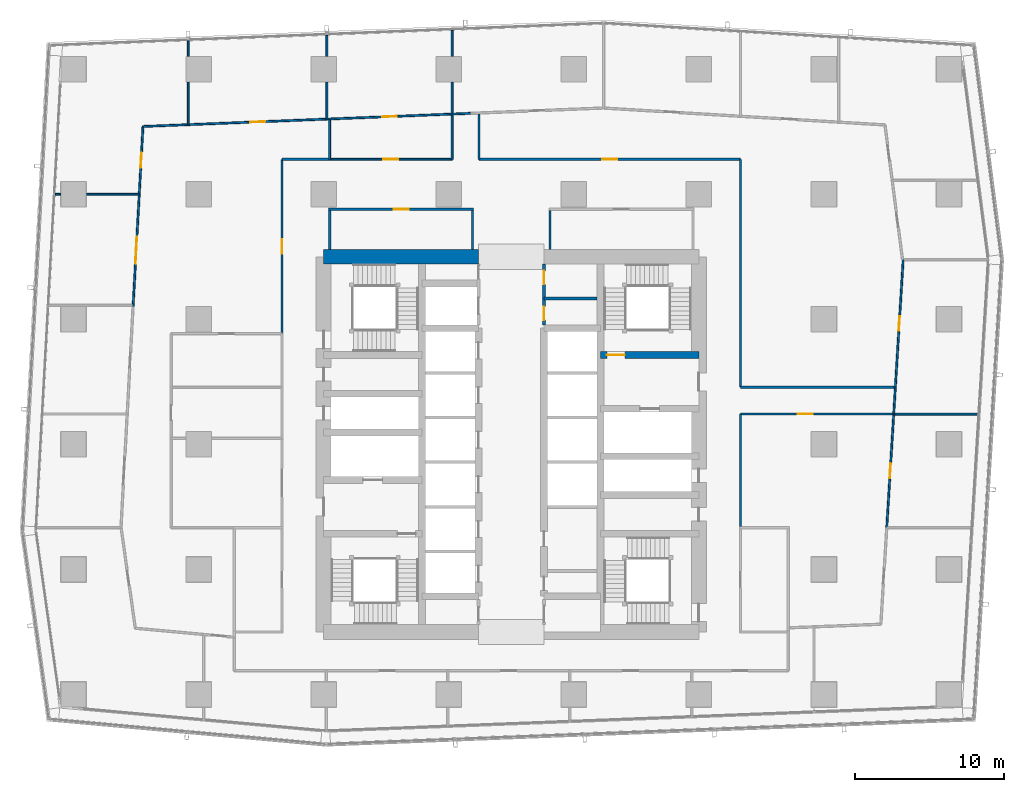
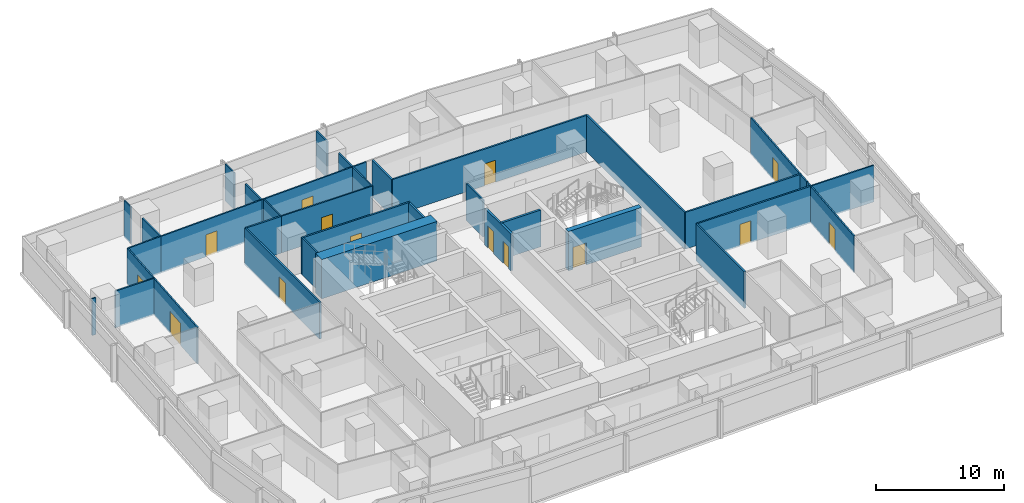
# One storey, part 31 of 40: 38 walls, 14 doors, 14 openings.
"""IFC4 building model written with IfcOpenShell, lengths in metres."""

from ifc_helpers import new_model, si_unit, direction, frame, frame_2d, origin, place, context, subcontext, project, spatial, rectangle, extrude, material, layer, layer_set, type_object, element, fill, save


model = new_model("IFC4")

# Units and contexts
model_context = context("Model", 3, precision=1e-05, world=origin(), true_north=direction((0.0, 1.0)))
body_context = subcontext(model_context, "Body", "Model", "MODEL_VIEW")
ifc_project = project(units=[si_unit("LENGTHUNIT", "METRE"), si_unit("AREAUNIT", "SQUARE_METRE"), si_unit("VOLUMEUNIT", "CUBIC_METRE"), si_unit("PLANEANGLEUNIT", "RADIAN"), si_unit("MASSUNIT", "GRAM", prefix="KILO")], contexts=[model_context])

# Site, building, storey
site_placement = place(None, origin())
site = spatial("IfcSite", under=ifc_project, at=site_placement, CompositionType="ELEMENT")
building_placement = place(site_placement, origin())
building = spatial("IfcBuilding", under=site, at=building_placement, Name="Rekha Terrace Tower", CompositionType="ELEMENT")
storey_placement = place(building_placement, frame((0.0, 0.0, 140.300048828125)))
storey = spatial("IfcBuildingStorey", under=building, at=storey_placement, Name="L35", CompositionType="ELEMENT", Elevation=140.300048828125)

# Wall, opening, door
ifc_material_1 = material(Name="Concrete M70", Category="concrete")
ifc_layer_1 = layer(ifc_material_1, 0.449951171875)
ifc_layer_set_1 = layer_set([ifc_layer_1], Name="Concrete M70")
wall_type_1 = type_object("IfcWallType", Name="CI2 450 core internal shear wall", PredefinedType="SHEAR", material=ifc_layer_set_1)
wall_1_placement = place(storey_placement, frame((43.800048828125, 39.60009765625, 0.0), z_axis=(0.0, 0.0, 1.0), x_axis=(1.0, 0.0, 0.0)))
wall_1 = element("IfcWall", 1, at=wall_1_placement, inside=storey, type_object=wall_type_1, Name="Core wall Y396E L35", PredefinedType="SHEAR", context=body_context, shape_type="SweptSolid", body=[
    extrude(rectangle(XDim=6.599853515625, YDim=0.449951171875, at=frame_2d((3.2998046875, 0.0))), origin(), (0.0, 0.0, 1.0), 3.75),
])
opening_1_placement = place(wall_1_placement, frame((0.425048828125, 0.0, 0.0)))
opening_1 = element("IfcOpeningElement", 2, at=opening_1_placement, cuts=wall_1, Name="Opening D1", PredefinedType="OPENING", context=body_context, shape_type="SweptSolid", body=[
    extrude(rectangle(XDim=1.199951171875, YDim=2.10009765625, at=frame_2d((0.60009765625, 1.050048828125))), frame((0.0, 0.23486328125, 0.0), z_axis=(0.0, -1.0, 0.0), x_axis=(1.0, 0.0, 0.0)), (0.0, 0.0, 1.0), 0.469970703125),
])
ifc_material_2 = material(Name="Steel fire door", Category="steel")
door_type_1 = type_object("IfcDoorType", Name="D1 1200x2100 stair fire door", OperationType="SINGLE_SWING_RIGHT", PredefinedType="DOOR", material=ifc_material_2)
door_1_placement = place(opening_1_placement, origin())
door_1 = element("IfcDoor", 3, at=door_1_placement, inside=storey, type_object=door_type_1, Name="Stair ST2 door L35", OperationType="SINGLE_SWING_RIGHT", OverallHeight=2.10009765625, OverallWidth=1.199951171875, PredefinedType="DOOR", context=body_context, shape_type="SweptSolid", body=[
    extrude(rectangle(XDim=1.199951171875, YDim=2.10009765625, at=frame_2d((0.60009765625, 1.050048828125))), frame((0.0, 0.02490234375, 0.0), z_axis=(0.0, -1.0, 0.0), x_axis=(1.0, 0.0, 0.0)), (0.0, 0.0, 1.0), 0.050048828125),
])
fill(opening_1, door_1)

# Walls
ifc_layer_2 = layer(ifc_material_1, 1.0)
ifc_layer_set_2 = layer_set([ifc_layer_2], Name="Concrete M70")
wall_type_2 = type_object("IfcWallType", Name="SW2 1000 core outer shear wall", PredefinedType="SHEAR", material=ifc_layer_set_2)
wall_2_placement = place(storey_placement, frame((25.199951171875, 46.199951171875, 0.0), z_axis=(0.0, 0.0, 1.0), x_axis=(1.0, 0.0, 0.0)))
element("IfcWall", 4, at=wall_2_placement, inside=storey, type_object=wall_type_2, Name="Core wall N1 L35", PredefinedType="SHEAR", context=body_context, shape_type="SweptSolid", body=[
    extrude(rectangle(XDim=10.400146484375, YDim=1.0, at=frame_2d((5.2001953125, 0.0))), origin(), (0.0, 0.0, 1.0), 3.75),
])
ifc_material_3 = material(Name="Concrete block masonry, 1 hour", Category="masonry")
ifc_layer_3 = layer(ifc_material_3, 0.14990234375)
ifc_layer_set_3 = layer_set([ifc_layer_3], Name="Concrete block masonry, 1 hour")
wall_type_3 = type_object("IfcWallType", Name="WP2 150 tenancy partition", PredefinedType="PARTITIONING", material=ifc_layer_set_3)
wall_3_placement = place(storey_placement, frame((40.39990234375, 46.699951171875, 0.0), z_axis=(0.0, 0.0, 1.0), x_axis=(0.0, 1.0, 0.0)))
element("IfcWall", 5, at=wall_3_placement, inside=storey, type_object=wall_type_3, Name="Women's WC wall L35", PredefinedType="PARTITIONING", context=body_context, shape_type="SweptSolid", body=[
    extrude(rectangle(XDim=2.625, YDim=0.14990234375, at=frame_2d((1.3125, 0.0))), origin(), (0.0, 0.0, 1.0), 3.5),
])

# Wall, opening, door
wall_4_placement = place(storey_placement, frame((25.52490234375, 49.39990234375, 0.0), z_axis=(0.0, 0.0, 1.0), x_axis=(1.0, 0.0, 0.0)))
wall_4 = element("IfcWall", 6, at=wall_4_placement, inside=storey, type_object=wall_type_3, Name="Women's WC wall L35", PredefinedType="PARTITIONING", context=body_context, shape_type="SweptSolid", body=[
    extrude(rectangle(XDim=9.75, YDim=0.14990234375, at=frame_2d((4.875, 0.0))), origin(), (0.0, 0.0, 1.0), 3.5),
])
opening_2_placement = place(wall_4_placement, frame((4.375, 0.0, 0.0)))
opening_2 = element("IfcOpeningElement", 7, at=opening_2_placement, cuts=wall_4, Name="Opening D3", PredefinedType="OPENING", context=body_context, shape_type="SweptSolid", body=[
    extrude(rectangle(XDim=1.0, YDim=2.10009765625, at=frame_2d((0.5, 1.050048828125))), frame((0.0, 0.0849609375, 0.0), z_axis=(0.0, -1.0, 0.0), x_axis=(1.0, 0.0, 0.0)), (0.0, 0.0, 1.0), 0.169921875),
])
ifc_material_4 = material(Name="Laminated timber fire door", Category="wood")
door_type_2 = type_object("IfcDoorType", Name="D3 1000x2100 WC door", OperationType="SINGLE_SWING_LEFT", PredefinedType="DOOR", material=ifc_material_4)
door_2_placement = place(opening_2_placement, origin())
door_2 = element("IfcDoor", 8, at=door_2_placement, inside=storey, type_object=door_type_2, Name="Door women's wc L35", OperationType="SINGLE_SWING_LEFT", OverallHeight=2.10009765625, OverallWidth=1.0, PredefinedType="DOOR", context=body_context, shape_type="SweptSolid", body=[
    extrude(rectangle(XDim=1.0, YDim=2.10009765625, at=frame_2d((0.5, 1.050048828125))), frame((0.0, 0.02490234375, 0.0), z_axis=(0.0, -1.0, 0.0), x_axis=(1.0, 0.0, 0.0)), (0.0, 0.0, 1.0), 0.050048828125),
])
fill(opening_2, door_2)

# Walls
for number, where, z_axis, x_axis, name in (
    (9, (25.60009765625, 46.699951171875, 0.0), (0.0, 0.0, 1.0), (0.0, 1.0, 0.0), "Women's WC wall L35"),
    (10, (35.199951171875, 46.699951171875, 0.0), (0.0, 0.0, 1.0), (0.0, 1.0, 0.0), "Women's WC wall L35"),
):
    element("IfcWall", number, at=place(storey_placement, frame(where, z_axis=z_axis, x_axis=x_axis)), inside=storey, type_object=wall_type_3, Name=name, PredefinedType="PARTITIONING", context=body_context, shape_type="SweptSolid", body=[
        extrude(rectangle(XDim=2.625, YDim=0.14990234375, at=frame_2d((1.3125, 0.0))), origin(), (0.0, 0.0, 1.0), 3.5),
    ])
wall_5_placement = place(storey_placement, frame((63.60205078125, 37.43701171875, 0.0), z_axis=(0.0, 0.0, 1.0), x_axis=(-1.0, 0.0, 0.0)))
element("IfcWall", 11, at=wall_5_placement, inside=storey, type_object=wall_type_3, Name="Partition L35-O1", PredefinedType="PARTITIONING", context=body_context, shape_type="SweptSolid", body=[
    extrude(rectangle(XDim=10.402099609375, YDim=0.14990234375, at=frame_2d((5.201171875, 0.0))), origin(), (0.0, 0.0, 1.0), 3.5),
])
wall_6_placement = place(storey_placement, frame((53.199951171875, 37.43701171875, 0.0), z_axis=(0.0, 0.0, 1.0), x_axis=(0.0, 1.0, 0.0)))
element("IfcWall", 12, at=wall_6_placement, inside=storey, type_object=wall_type_3, Name="Partition L35-O1", PredefinedType="PARTITIONING", context=body_context, shape_type="SweptSolid", body=[
    extrude(rectangle(XDim=15.31298828125, YDim=0.14990234375, at=frame_2d((7.656494140625, 0.0))), origin(), (0.0, 0.0, 1.0), 3.5),
])

# Wall, opening, door
wall_7_placement = place(storey_placement, frame((53.199951171875, 52.75, 0.0), z_axis=(0.0, 0.0, 1.0), x_axis=(-1.0, 0.0, 0.0)))
wall_7 = element("IfcWall", 13, at=wall_7_placement, inside=storey, type_object=wall_type_3, Name="Partition L35-O1", PredefinedType="PARTITIONING", context=body_context, shape_type="SweptSolid", body=[
    extrude(rectangle(XDim=17.573974609375, YDim=0.14990234375, at=frame_2d((8.787109375, 0.0))), origin(), (0.0, 0.0, 1.0), 3.5),
])
opening_3_placement = place(wall_7_placement, frame((8.287109375, 0.0, 0.0)))
opening_3 = element("IfcOpeningElement", 14, at=opening_3_placement, cuts=wall_7, Name="Opening D9", PredefinedType="OPENING", context=body_context, shape_type="SweptSolid", body=[
    extrude(rectangle(XDim=1.0, YDim=2.10009765625, at=frame_2d((0.5, 1.050048828125))), frame((0.0, 0.0849609375, 0.0), z_axis=(0.0, -1.0, 0.0), x_axis=(1.0, 0.0, 0.0)), (0.0, 0.0, 1.0), 0.169921875),
])
ifc_material_5 = material(Name="Timber fire door", Category="wood")
door_type_3 = type_object("IfcDoorType", Name="D9 1000x2100 office door", OperationType="SINGLE_SWING_LEFT", PredefinedType="DOOR", material=ifc_material_5)
door_3_placement = place(opening_3_placement, origin())
door_3 = element("IfcDoor", 15, at=door_3_placement, inside=storey, type_object=door_type_3, Name="Door open-plan office L35", OperationType="SINGLE_SWING_LEFT", OverallHeight=2.10009765625, OverallWidth=1.0, PredefinedType="DOOR", context=body_context, shape_type="SweptSolid", body=[
    extrude(rectangle(XDim=1.0, YDim=2.10009765625, at=frame_2d((0.5, 1.050048828125))), frame((0.0, 0.02490234375, 0.0), z_axis=(0.0, -1.0, 0.0), x_axis=(1.0, 0.0, 0.0)), (0.0, 0.0, 1.0), 0.050048828125),
])
fill(opening_3, door_3)

# Walls
wall_8_placement = place(storey_placement, frame((35.6259765625, 52.75, 0.0), z_axis=(0.0, 0.0, 1.0), x_axis=(0.0, 1.0, 0.0)))
element("IfcWall", 16, at=wall_8_placement, inside=storey, type_object=wall_type_3, Name="Partition L35-O1", PredefinedType="PARTITIONING", context=body_context, shape_type="SweptSolid", body=[
    extrude(rectangle(XDim=3.0458984375, YDim=0.14990234375, at=frame_2d((1.52294921875, 0.0))), origin(), (0.0, 0.0, 1.0), 3.5),
])
wall_9_placement = place(storey_placement, frame((53.199951171875, 28.074951171875, 0.0), z_axis=(0.0, 0.0, 1.0), x_axis=(0.0, 1.0, 0.0)))
element("IfcWall", 17, at=wall_9_placement, inside=storey, type_object=wall_type_3, Name="Partition L35-O1b", PredefinedType="PARTITIONING", context=body_context, shape_type="SweptSolid", body=[
    extrude(rectangle(XDim=7.56201171875, YDim=0.14990234375, at=frame_2d((3.781005859375, 0.0))), origin(), (0.0, 0.0, 1.0), 3.5),
])

# Wall, opening, door
wall_10_placement = place(storey_placement, frame((53.199951171875, 35.636962890625, 0.0), z_axis=(0.0, 0.0, 1.0), x_axis=(1.0, 0.0, 0.0)))
wall_10 = element("IfcWall", 18, at=wall_10_placement, inside=storey, type_object=wall_type_3, Name="Partition L35-O1b", PredefinedType="PARTITIONING", context=body_context, shape_type="SweptSolid", body=[
    extrude(rectangle(XDim=10.2431640625, YDim=0.14990234375, at=frame_2d((5.12158203125, 0.0))), origin(), (0.0, 0.0, 1.0), 3.5),
])
opening_4_placement = place(wall_10_placement, frame((3.845947265625, 0.0, 0.0)))
opening_4 = element("IfcOpeningElement", 19, at=opening_4_placement, cuts=wall_10, Name="Opening D9", PredefinedType="OPENING", context=body_context, shape_type="SweptSolid", body=[
    extrude(rectangle(XDim=1.0, YDim=2.10009765625, at=frame_2d((0.5, 1.050048828125))), frame((0.0, 0.0849609375, 0.0), z_axis=(0.0, -1.0, 0.0), x_axis=(1.0, 0.0, 0.0)), (0.0, 0.0, 1.0), 0.169921875),
])
door_4_placement = place(opening_4_placement, origin())
door_4 = element("IfcDoor", 20, at=door_4_placement, inside=storey, type_object=door_type_3, Name="Door open-plan office L35", OperationType="SINGLE_SWING_LEFT", OverallHeight=2.10009765625, OverallWidth=1.0, PredefinedType="DOOR", context=body_context, shape_type="SweptSolid", body=[
    extrude(rectangle(XDim=1.0, YDim=2.10009765625, at=frame_2d((0.5, 1.050048828125))), frame((0.0, 0.02490234375, 0.0), z_axis=(0.0, -1.0, 0.0), x_axis=(1.0, 0.0, 0.0)), (0.0, 0.0, 1.0), 0.050048828125),
])
fill(opening_4, door_4)

# Wall
wall_11_placement = place(storey_placement, frame((25.60009765625, 52.75, 0.0), z_axis=(0.0, 0.0, 1.0), x_axis=(-1.0, 0.0, 0.0)))
element("IfcWall", 21, at=wall_11_placement, inside=storey, type_object=wall_type_3, Name="Partition L35-O2", PredefinedType="PARTITIONING", context=body_context, shape_type="SweptSolid", body=[
    extrude(rectangle(XDim=3.2001953125, YDim=0.14990234375, at=frame_2d((1.60009765625, 0.0))), origin(), (0.0, 0.0, 1.0), 3.5),
])

# Wall, opening, door
wall_12_placement = place(storey_placement, frame((22.39990234375, 52.75, 0.0), z_axis=(0.0, 0.0, 1.0), x_axis=(0.0, -1.0, 0.0)))
wall_12 = element("IfcWall", 22, at=wall_12_placement, inside=storey, type_object=wall_type_3, Name="Partition L35-O2", PredefinedType="PARTITIONING", context=body_context, shape_type="SweptSolid", body=[
    extrude(rectangle(XDim=11.712890625, YDim=0.14990234375, at=frame_2d((5.8564453125, 0.0))), origin(), (0.0, 0.0, 1.0), 3.5),
])
opening_5_placement = place(wall_12_placement, frame((5.35595703125, 0.0, 0.0)))
opening_5 = element("IfcOpeningElement", 23, at=opening_5_placement, cuts=wall_12, Name="Opening D9", PredefinedType="OPENING", context=body_context, shape_type="SweptSolid", body=[
    extrude(rectangle(XDim=1.0, YDim=2.10009765625, at=frame_2d((0.5, 1.050048828125))), frame((0.0, 0.0849609375, 0.0), z_axis=(0.0, -1.0, 0.0), x_axis=(1.0, 0.0, 0.0)), (0.0, 0.0, 1.0), 0.169921875),
])
door_5_placement = place(opening_5_placement, origin())
door_5 = element("IfcDoor", 24, at=door_5_placement, inside=storey, type_object=door_type_3, Name="Door open-plan office L35", OperationType="SINGLE_SWING_LEFT", OverallHeight=2.10009765625, OverallWidth=1.0, PredefinedType="DOOR", context=body_context, shape_type="SweptSolid", body=[
    extrude(rectangle(XDim=1.0, YDim=2.10009765625, at=frame_2d((0.5, 1.050048828125))), frame((0.0, 0.02490234375, 0.0), z_axis=(0.0, -1.0, 0.0), x_axis=(1.0, 0.0, 0.0)), (0.0, 0.0, 1.0), 0.050048828125),
])
fill(opening_5, door_5)

ifc_material_6 = material(Name="Two layers of fire-rated gypsum board each side on steel studs, acoustic quilt, 1 hour", Category="steel")
ifc_layer_4 = layer(ifc_material_6, 0.125)
ifc_layer_set_4 = layer_set([ifc_layer_4], Name="Two layers of fire-rated gypsum board each side on steel studs, acoustic quilt, 1 hour")
wall_type_4 = type_object("IfcWallType", Name="WP3 125 office partition", PredefinedType="PARTITIONING", material=ifc_layer_set_4)
wall_13_placement = place(storey_placement, frame((63.02392578125, 27.9970703125, 0.0), z_axis=(0.0, 0.0, 1.0), x_axis=(0.061176245149, 0.998126979412, 0.0)))
wall_13 = element("IfcWall", 25, at=wall_13_placement, inside=storey, type_object=wall_type_4, Name="Partition L35-05", PredefinedType="PARTITIONING", context=body_context, shape_type="SweptSolid", body=[
    extrude(rectangle(XDim=7.650390625, YDim=0.125, at=frame_2d((3.8251953125, 0.0))), origin(), (0.0, 0.0, 1.0), 3.5),
])
opening_6_placement = place(wall_13_placement, frame((3.324951171875, 0.0, 0.0)))
opening_6 = element("IfcOpeningElement", 26, at=opening_6_placement, cuts=wall_13, Name="Opening D9", PredefinedType="OPENING", context=body_context, shape_type="SweptSolid", body=[
    extrude(rectangle(XDim=1.0, YDim=2.10009765625, at=frame_2d((0.5, 1.050048828125))), frame((0.0, 0.072509765625, 0.0), z_axis=(0.0, -1.0, 0.0), x_axis=(1.0, 0.0, 0.0)), (0.0, 0.0, 1.0), 0.14501953125),
])
door_6_placement = place(opening_6_placement, origin())
door_6 = element("IfcDoor", 27, at=door_6_placement, inside=storey, type_object=door_type_3, Name="Door office L35", OperationType="SINGLE_SWING_LEFT", OverallHeight=2.10009765625, OverallWidth=1.0, PredefinedType="DOOR", context=body_context, shape_type="SweptSolid", body=[
    extrude(rectangle(XDim=1.0, YDim=2.10009765625, at=frame_2d((0.5, 1.050048828125))), frame((0.0, 0.02490234375, 0.0), z_axis=(0.0, -1.0, 0.0), x_axis=(1.0, 0.0, 0.0)), (0.0, 0.0, 1.0), 0.050048828125),
])
fill(opening_6, door_6)

# Wall
wall_14_placement = place(storey_placement, frame((63.491943359375, 35.633056640625, 0.0), z_axis=(0.0, 0.0, 1.0), x_axis=(1.0, 0.0, 0.0)))
element("IfcWall", 28, at=wall_14_placement, inside=storey, type_object=wall_type_4, Name="Partition L35-05", PredefinedType="PARTITIONING", context=body_context, shape_type="SweptSolid", body=[
    extrude(rectangle(XDim=5.66015625, YDim=0.125, at=frame_2d((2.830078125, 0.0))), origin(), (0.0, 0.0, 1.0), 3.5),
])

# Wall, opening, door
wall_15_placement = place(storey_placement, frame((63.60205078125, 37.43701171875, 0.0), z_axis=(0.0, 0.0, 1.0), x_axis=(0.06111295292, 0.998130856644, 0.0)))
wall_15 = element("IfcWall", 29, at=wall_15_placement, inside=storey, type_object=wall_type_4, Name="Partition L35-06", PredefinedType="PARTITIONING", context=body_context, shape_type="SweptSolid", body=[
    extrude(rectangle(XDim=8.589111328125, YDim=0.125, at=frame_2d((4.29443359375, 0.0))), origin(), (0.0, 0.0, 1.0), 3.5),
])
opening_7_placement = place(wall_15_placement, frame((3.791015625, 0.0, 0.0)))
opening_7 = element("IfcOpeningElement", 30, at=opening_7_placement, cuts=wall_15, Name="Opening D9", PredefinedType="OPENING", context=body_context, shape_type="SweptSolid", body=[
    extrude(rectangle(XDim=1.0, YDim=2.10009765625, at=frame_2d((0.5, 1.050048828125))), frame((0.0, 0.072509765625, 0.0), z_axis=(0.0, -1.0, 0.0), x_axis=(1.0, 0.0, 0.0)), (0.0, 0.0, 1.0), 0.14501953125),
])
door_7_placement = place(opening_7_placement, origin())
door_7 = element("IfcDoor", 31, at=door_7_placement, inside=storey, type_object=door_type_3, Name="Door office L35", OperationType="SINGLE_SWING_LEFT", OverallHeight=2.10009765625, OverallWidth=1.0, PredefinedType="DOOR", context=body_context, shape_type="SweptSolid", body=[
    extrude(rectangle(XDim=1.0, YDim=2.10009765625, at=frame_2d((0.5, 1.050048828125))), frame((0.0, 0.02490234375, 0.0), z_axis=(0.0, -1.0, 0.0), x_axis=(1.0, 0.0, 0.0)), (0.0, 0.0, 1.0), 0.050048828125),
])
fill(opening_7, door_7)

# Walls
wall_16_placement = place(storey_placement, frame((63.491943359375, 35.634033203125, 0.0), z_axis=(0.0, 0.0, 1.0), x_axis=(0.061682245647, 0.998095837368, 0.0)))
element("IfcWall", 32, at=wall_16_placement, inside=storey, type_object=wall_type_4, Name="Partition L35-06", PredefinedType="PARTITIONING", context=body_context, shape_type="SweptSolid", body=[
    extrude(rectangle(XDim=0.63330078125, YDim=0.125, at=frame_2d((0.316650390625, 0.0))), origin(), (0.0, 0.0, 1.0), 3.5),
])
wall_17_placement = place(storey_placement, frame((63.531005859375, 36.26611328125, 0.0), z_axis=(0.0, 0.0, 1.0), x_axis=(0.060564181147, 0.998164305093, 0.0)))
element("IfcWall", 33, at=wall_17_placement, inside=storey, type_object=wall_type_4, Name="Partition L35-06", PredefinedType="PARTITIONING", context=body_context, shape_type="SweptSolid", body=[
    extrude(rectangle(XDim=1.173095703125, YDim=0.125, at=frame_2d((0.58642578125, 0.0))), origin(), (0.0, 0.0, 1.0), 3.5),
])
wall_18_placement = place(storey_placement, frame((35.05908203125, 55.8359375, 0.0), z_axis=(0.0, 0.0, 1.0), x_axis=(-0.999174794796, -0.040616861577, 0.0)))
element("IfcWall", 34, at=wall_18_placement, inside=storey, type_object=wall_type_4, Name="Partition L35-11", PredefinedType="PARTITIONING", context=body_context, shape_type="SweptSolid", body=[
    extrude(rectangle(XDim=1.232177734375, YDim=0.125, at=frame_2d((0.6162109375, 0.0))), origin(), (0.0, 0.0, 1.0), 3.5),
])
wall_19_placement = place(storey_placement, frame((33.827880859375, 55.785888671875, 0.0), z_axis=(0.0, 0.0, 1.0), x_axis=(0.0, 1.0, 0.0)))
element("IfcWall", 35, at=wall_19_placement, inside=storey, type_object=wall_type_4, Name="Partition L35-11", PredefinedType="PARTITIONING", context=body_context, shape_type="SweptSolid", body=[
    extrude(rectangle(XDim=2.14404296875, YDim=0.125, at=frame_2d((1.072021484375, 0.0))), origin(), (0.0, 0.0, 1.0), 3.5),
])
wall_20_placement = place(storey_placement, frame((33.827880859375, 59.669921875, 0.0), z_axis=(0.0, 0.0, 1.0), x_axis=(0.0, 1.0, 0.0)))
element("IfcWall", 36, at=wall_20_placement, inside=storey, type_object=wall_type_4, Name="Partition L35-11", PredefinedType="PARTITIONING", context=body_context, shape_type="SweptSolid", body=[
    extrude(rectangle(XDim=1.740966796875, YDim=0.125, at=frame_2d((0.87060546875, 0.0))), origin(), (0.0, 0.0, 1.0), 3.5),
])
wall_21_placement = place(storey_placement, frame((25.4140625, 55.448974609375, 0.0), z_axis=(0.0, 0.0, 1.0), x_axis=(0.0, 1.0, 0.0)))
element("IfcWall", 37, at=wall_21_placement, inside=storey, type_object=wall_type_4, Name="Partition L35-12", PredefinedType="PARTITIONING", context=body_context, shape_type="SweptSolid", body=[
    extrude(rectangle(XDim=2.48095703125, YDim=0.125, at=frame_2d((1.240478515625, 0.0))), origin(), (0.0, 0.0, 1.0), 3.5),
])
wall_22_placement = place(storey_placement, frame((25.4140625, 59.669921875, 0.0), z_axis=(0.0, 0.0, 1.0), x_axis=(0.0, 1.0, 0.0)))
element("IfcWall", 38, at=wall_22_placement, inside=storey, type_object=wall_type_4, Name="Partition L35-12", PredefinedType="PARTITIONING", context=body_context, shape_type="SweptSolid", body=[
    extrude(rectangle(XDim=1.404052734375, YDim=0.125, at=frame_2d((0.7021484375, 0.0))), origin(), (0.0, 0.0, 1.0), 3.5),
])

# Wall, opening, door
wall_23_placement = place(storey_placement, frame((33.826904296875, 55.785888671875, 0.0), z_axis=(0.0, 0.0, 1.0), x_axis=(-0.999199058446, -0.04001551701, 0.0)))
wall_23 = element("IfcWall", 39, at=wall_23_placement, inside=storey, type_object=wall_type_4, Name="Partition L35-12", PredefinedType="PARTITIONING", context=body_context, shape_type="SweptSolid", body=[
    extrude(rectangle(XDim=8.419677734375, YDim=0.125, at=frame_2d((4.2099609375, 0.0))), origin(), (0.0, 0.0, 1.0), 3.5),
])
opening_8_placement = place(wall_23_placement, frame((3.7099609375, 0.0, 0.0)))
opening_8 = element("IfcOpeningElement", 40, at=opening_8_placement, cuts=wall_23, Name="Opening D9", PredefinedType="OPENING", context=body_context, shape_type="SweptSolid", body=[
    extrude(rectangle(XDim=1.0, YDim=2.10009765625, at=frame_2d((0.5, 1.050048828125))), frame((0.0, 0.072509765625, 0.0), z_axis=(0.0, -1.0, 0.0), x_axis=(1.0, 0.0, 0.0)), (0.0, 0.0, 1.0), 0.14501953125),
])
door_8_placement = place(opening_8_placement, origin())
door_8 = element("IfcDoor", 41, at=door_8_placement, inside=storey, type_object=door_type_3, Name="Door office L35", OperationType="SINGLE_SWING_LEFT", OverallHeight=2.10009765625, OverallWidth=1.0, PredefinedType="DOOR", context=body_context, shape_type="SweptSolid", body=[
    extrude(rectangle(XDim=1.0, YDim=2.10009765625, at=frame_2d((0.5, 1.050048828125))), frame((0.0, 0.02490234375, 0.0), z_axis=(0.0, -1.0, 0.0), x_axis=(1.0, 0.0, 0.0)), (0.0, 0.0, 1.0), 0.050048828125),
])
fill(opening_8, door_8)

# Wall
wall_24_placement = place(storey_placement, frame((33.825927734375, 55.722900390625, 0.0), z_axis=(0.0, 0.0, 1.0), x_axis=(0.0, -1.0, 0.0)))
element("IfcWall", 42, at=wall_24_placement, inside=storey, type_object=wall_type_4, Name="Partition L35-13", PredefinedType="PARTITIONING", context=body_context, shape_type="SweptSolid", body=[
    extrude(rectangle(XDim=2.972900390625, YDim=0.125, at=frame_2d((1.486328125, 0.0))), origin(), (0.0, 0.0, 1.0), 3.5),
])

# Wall, opening, door
wall_25_placement = place(storey_placement, frame((33.825927734375, 52.75, 0.0), z_axis=(0.0, 0.0, 1.0), x_axis=(-1.0, 0.0, 0.0)))
wall_25 = element("IfcWall", 43, at=wall_25_placement, inside=storey, type_object=wall_type_4, Name="Partition L35-13", PredefinedType="PARTITIONING", context=body_context, shape_type="SweptSolid", body=[
    extrude(rectangle(XDim=8.225830078125, YDim=0.125, at=frame_2d((4.11279296875, 0.0))), origin(), (0.0, 0.0, 1.0), 3.5),
])
opening_9_placement = place(wall_25_placement, frame((3.613037109375, 0.0, 0.0)))
opening_9 = element("IfcOpeningElement", 44, at=opening_9_placement, cuts=wall_25, Name="Opening D9", PredefinedType="OPENING", context=body_context, shape_type="SweptSolid", body=[
    extrude(rectangle(XDim=1.0, YDim=2.10009765625, at=frame_2d((0.5, 1.050048828125))), frame((0.0, 0.072509765625, 0.0), z_axis=(0.0, -1.0, 0.0), x_axis=(1.0, 0.0, 0.0)), (0.0, 0.0, 1.0), 0.14501953125),
])
door_9_placement = place(opening_9_placement, origin())
door_9 = element("IfcDoor", 45, at=door_9_placement, inside=storey, type_object=door_type_3, Name="Door reception L35", OperationType="SINGLE_SWING_LEFT", OverallHeight=2.10009765625, OverallWidth=1.0, PredefinedType="DOOR", context=body_context, shape_type="SweptSolid", body=[
    extrude(rectangle(XDim=1.0, YDim=2.10009765625, at=frame_2d((0.5, 1.050048828125))), frame((0.0, 0.02490234375, 0.0), z_axis=(0.0, -1.0, 0.0), x_axis=(1.0, 0.0, 0.0)), (0.0, 0.0, 1.0), 0.050048828125),
])
fill(opening_9, door_9)

# Wall
wall_26_placement = place(storey_placement, frame((25.60009765625, 52.75, 0.0), z_axis=(0.0, 0.0, 1.0), x_axis=(0.0, 1.0, 0.0)))
element("IfcWall", 46, at=wall_26_placement, inside=storey, type_object=wall_type_4, Name="Partition L35-13", PredefinedType="PARTITIONING", context=body_context, shape_type="SweptSolid", body=[
    extrude(rectangle(XDim=2.64404296875, YDim=0.125, at=frame_2d((1.322021484375, 0.0))), origin(), (0.0, 0.0, 1.0), 3.5),
])

# Wall, opening, door
wall_27_placement = place(storey_placement, frame((25.4130859375, 55.448974609375, 0.0), z_axis=(0.0, 0.0, 1.0), x_axis=(-0.999198361773, -0.04003290935, 0.0)))
wall_27 = element("IfcWall", 47, at=wall_27_placement, inside=storey, type_object=wall_type_4, Name="Partition L35-14", PredefinedType="PARTITIONING", context=body_context, shape_type="SweptSolid", body=[
    extrude(rectangle(XDim=9.318603515625, YDim=0.125, at=frame_2d((4.6591796875, 0.0))), origin(), (0.0, 0.0, 1.0), 3.5),
])
opening_10_placement = place(wall_27_placement, frame((4.158935546875, 0.0, 0.0)))
opening_10 = element("IfcOpeningElement", 48, at=opening_10_placement, cuts=wall_27, Name="Opening D9", PredefinedType="OPENING", context=body_context, shape_type="SweptSolid", body=[
    extrude(rectangle(XDim=1.0, YDim=2.10009765625, at=frame_2d((0.5, 1.050048828125))), frame((0.0, 0.072509765625, 0.0), z_axis=(0.0, -1.0, 0.0), x_axis=(1.0, 0.0, 0.0)), (0.0, 0.0, 1.0), 0.14501953125),
])
door_10_placement = place(opening_10_placement, origin())
door_10 = element("IfcDoor", 49, at=door_10_placement, inside=storey, type_object=door_type_3, Name="Door office L35", OperationType="SINGLE_SWING_LEFT", OverallHeight=2.10009765625, OverallWidth=1.0, PredefinedType="DOOR", context=body_context, shape_type="SweptSolid", body=[
    extrude(rectangle(XDim=1.0, YDim=2.10009765625, at=frame_2d((0.5, 1.050048828125))), frame((0.0, 0.02490234375, 0.0), z_axis=(0.0, -1.0, 0.0), x_axis=(1.0, 0.0, 0.0)), (0.0, 0.0, 1.0), 0.050048828125),
])
fill(opening_10, door_10)

# Walls
wall_28_placement = place(storey_placement, frame((16.10205078125, 55.075927734375, 0.0), z_axis=(0.0, 0.0, 1.0), x_axis=(0.0, 1.0, 0.0)))
element("IfcWall", 50, at=wall_28_placement, inside=storey, type_object=wall_type_4, Name="Partition L35-14", PredefinedType="PARTITIONING", context=body_context, shape_type="SweptSolid", body=[
    extrude(rectangle(XDim=2.85400390625, YDim=0.125, at=frame_2d((1.427001953125, 0.0))), origin(), (0.0, 0.0, 1.0), 3.5),
])
wall_29_placement = place(storey_placement, frame((16.10205078125, 59.669921875, 0.0), z_axis=(0.0, 0.0, 1.0), x_axis=(0.0, 1.0, 0.0)))
element("IfcWall", 51, at=wall_29_placement, inside=storey, type_object=wall_type_4, Name="Partition L35-14", PredefinedType="PARTITIONING", context=body_context, shape_type="SweptSolid", body=[
    extrude(rectangle(XDim=1.030029296875, YDim=0.125, at=frame_2d((0.51513671875, 0.0))), origin(), (0.0, 0.0, 1.0), 3.5),
])
wall_30_placement = place(storey_placement, frame((16.10107421875, 55.075927734375, 0.0), z_axis=(0.0, 0.0, 1.0), x_axis=(-0.999198007742, -0.040041744769, 0.0)))
element("IfcWall", 52, at=wall_30_placement, inside=storey, type_object=wall_type_4, Name="Partition L35-15", PredefinedType="PARTITIONING", context=body_context, shape_type="SweptSolid", body=[
    extrude(rectangle(XDim=3.04248046875, YDim=0.125, at=frame_2d((1.521240234375, 0.0))), origin(), (0.0, 0.0, 1.0), 3.5),
])

# Wall, opening, door
wall_31_placement = place(storey_placement, frame((13.06103515625, 54.9541015625, 0.0), z_axis=(0.0, 0.0, 1.0), x_axis=(-0.054849980007, -0.998494606742, 0.0)))
wall_31 = element("IfcWall", 53, at=wall_31_placement, inside=storey, type_object=wall_type_4, Name="Partition L35-15", PredefinedType="PARTITIONING", context=body_context, shape_type="SweptSolid", body=[
    extrude(rectangle(XDim=4.557861328125, YDim=0.125, at=frame_2d((2.27880859375, 0.0))), origin(), (0.0, 0.0, 1.0), 3.5),
])
opening_11_placement = place(wall_31_placement, frame((1.779052734375, 0.0, 0.0)))
opening_11 = element("IfcOpeningElement", 54, at=opening_11_placement, cuts=wall_31, Name="Opening D9", PredefinedType="OPENING", context=body_context, shape_type="SweptSolid", body=[
    extrude(rectangle(XDim=1.0, YDim=2.10009765625, at=frame_2d((0.5, 1.050048828125))), frame((0.0, 0.072509765625, 0.0), z_axis=(0.0, -1.0, 0.0), x_axis=(1.0, 0.0, 0.0)), (0.0, 0.0, 1.0), 0.14501953125),
])
door_11_placement = place(opening_11_placement, origin())
door_11 = element("IfcDoor", 55, at=door_11_placement, inside=storey, type_object=door_type_3, Name="Door director's office L35", OperationType="SINGLE_SWING_LEFT", OverallHeight=2.10009765625, OverallWidth=1.0, PredefinedType="DOOR", context=body_context, shape_type="SweptSolid", body=[
    extrude(rectangle(XDim=1.0, YDim=2.10009765625, at=frame_2d((0.5, 1.050048828125))), frame((0.0, 0.02490234375, 0.0), z_axis=(0.0, -1.0, 0.0), x_axis=(1.0, 0.0, 0.0)), (0.0, 0.0, 1.0), 0.050048828125),
])
fill(opening_11, door_11)

# Walls
wall_32_placement = place(storey_placement, frame((12.81103515625, 50.403076171875, 0.0), z_axis=(0.0, 0.0, 1.0), x_axis=(-1.0, 0.0, 0.0)))
element("IfcWall", 56, at=wall_32_placement, inside=storey, type_object=wall_type_4, Name="Partition L35-15", PredefinedType="PARTITIONING", context=body_context, shape_type="SweptSolid", body=[
    extrude(rectangle(XDim=3.541015625, YDim=0.125, at=frame_2d((1.7705078125, 0.0))), origin(), (0.0, 0.0, 1.0), 3.5),
])
wall_33_placement = place(storey_placement, frame((7.530029296875, 50.403076171875, 0.0), z_axis=(0.0, 0.0, 1.0), x_axis=(-1.0, 0.0, 0.0)))
element("IfcWall", 57, at=wall_33_placement, inside=storey, type_object=wall_type_4, Name="Partition L35-15", PredefinedType="PARTITIONING", context=body_context, shape_type="SweptSolid", body=[
    extrude(rectangle(XDim=0.346923828125, YDim=0.125, at=frame_2d((0.17333984375, 0.0))), origin(), (0.0, 0.0, 1.0), 3.5),
])

# Wall, opening, door
wall_34_placement = place(storey_placement, frame((12.81103515625, 50.402099609375, 0.0), z_axis=(0.0, 0.0, 1.0), x_axis=(-0.054783199126, -0.998498272955, 0.0)))
wall_34 = element("IfcWall", 58, at=wall_34_placement, inside=storey, type_object=wall_type_4, Name="Partition L35-16", PredefinedType="PARTITIONING", context=body_context, shape_type="SweptSolid", body=[
    extrude(rectangle(XDim=7.540283203125, YDim=0.125, at=frame_2d((3.77001953125, 0.0))), origin(), (0.0, 0.0, 1.0), 3.5),
])
opening_12_placement = place(wall_34_placement, frame((2.8701171875, 0.0, 0.0)))
opening_12 = element("IfcOpeningElement", 59, at=opening_12_placement, cuts=wall_34, Name="Opening D8", PredefinedType="OPENING", context=body_context, shape_type="SweptSolid", body=[
    extrude(rectangle(XDim=1.800048828125, YDim=2.10009765625, at=frame_2d((0.89990234375, 1.050048828125))), frame((0.0, 0.072509765625, 0.0), z_axis=(0.0, -1.0, 0.0), x_axis=(1.0, 0.0, 0.0)), (0.0, 0.0, 1.0), 0.14501953125),
])
door_type_4 = type_object("IfcDoorType", Name="D8 1800x2100 double leaf door", OperationType="DOUBLE_DOOR_SINGLE_SWING", PredefinedType="DOOR", material=ifc_material_5)
door_12_placement = place(opening_12_placement, origin())
door_12 = element("IfcDoor", 60, at=door_12_placement, inside=storey, type_object=door_type_4, Name="Door print room L35", OperationType="DOUBLE_DOOR_SINGLE_SWING", OverallHeight=2.10009765625, OverallWidth=1.800048828125, PredefinedType="DOOR", context=body_context, shape_type="SweptSolid", body=[
    extrude(rectangle(XDim=1.800048828125, YDim=2.10009765625, at=frame_2d((0.89990234375, 1.050048828125))), frame((0.0, 0.02490234375, 0.0), z_axis=(0.0, -1.0, 0.0), x_axis=(1.0, 0.0, 0.0)), (0.0, 0.0, 1.0), 0.050048828125),
])
fill(opening_12, door_12)

# Wall, openings, doors
ifc_material_7 = material(Name="Solid concrete block masonry, 2 hour", Category="masonry")
ifc_layer_5 = layer(ifc_material_7, 0.199951171875)
ifc_layer_set_5 = layer_set([ifc_layer_5], Name="Solid concrete block masonry, 2 hour")
wall_type_5 = type_object("IfcWallType", Name="WS1 200 stair and shaft enclosure", PredefinedType="PARTITIONING", material=ifc_layer_set_5)
wall_35_placement = place(storey_placement, frame((40.0, 41.625, 0.0), z_axis=(0.0, 0.0, 1.0), x_axis=(0.0, 1.0, 0.0)))
wall_35 = element("IfcWall", 61, at=wall_35_placement, inside=storey, type_object=wall_type_5, Name="Core partition elec L35", PredefinedType="PARTITIONING", context=body_context, shape_type="SweptSolid", body=[
    extrude(rectangle(XDim=4.074951171875, YDim=0.199951171875, at=frame_2d((2.03759765625, 0.0))), origin(), (0.0, 0.0, 1.0), 3.5),
])
opening_13_placement = place(wall_35_placement, frame((2.72509765625, 0.0, 0.0)))
opening_13 = element("IfcOpeningElement", 62, at=opening_13_placement, cuts=wall_35, Name="Opening D5", PredefinedType="OPENING", context=body_context, shape_type="SweptSolid", body=[
    extrude(rectangle(XDim=0.89990234375, YDim=2.10009765625, at=frame_2d((0.449951171875, 1.050048828125))), frame((0.0, 0.10986328125, 0.0), z_axis=(0.0, -1.0, 0.0), x_axis=(1.0, 0.0, 0.0)), (0.0, 0.0, 1.0), 0.219970703125),
])
opening_14_placement = place(wall_35_placement, frame((0.324951171875, 0.0, 0.0)))
opening_14 = element("IfcOpeningElement", 63, at=opening_14_placement, cuts=wall_35, Name="Opening D5", PredefinedType="OPENING", context=body_context, shape_type="SweptSolid", body=[
    extrude(rectangle(XDim=0.89990234375, YDim=2.10009765625, at=frame_2d((0.449951171875, 1.050048828125))), frame((0.0, 0.10986328125, 0.0), z_axis=(0.0, -1.0, 0.0), x_axis=(1.0, 0.0, 0.0)), (0.0, 0.0, 1.0), 0.219970703125),
])
door_type_5 = type_object("IfcDoorType", Name="D5 900x2100 riser access door", OperationType="SINGLE_SWING_LEFT", PredefinedType="DOOR", material=ifc_material_2)
door_13_placement = place(opening_13_placement, origin())
door_13 = element("IfcDoor", 64, at=door_13_placement, inside=storey, type_object=door_type_5, Name="Door electrical room L35", OperationType="SINGLE_SWING_LEFT", OverallHeight=2.10009765625, OverallWidth=0.89990234375, PredefinedType="DOOR", context=body_context, shape_type="SweptSolid", body=[
    extrude(rectangle(XDim=0.89990234375, YDim=2.10009765625, at=frame_2d((0.449951171875, 1.050048828125))), frame((0.0, 0.02490234375, 0.0), z_axis=(0.0, -1.0, 0.0), x_axis=(1.0, 0.0, 0.0)), (0.0, 0.0, 1.0), 0.050048828125),
])
fill(opening_13, door_13)
door_14_placement = place(opening_14_placement, origin())
door_14 = element("IfcDoor", 65, at=door_14_placement, inside=storey, type_object=door_type_5, Name="Door records store L35", OperationType="SINGLE_SWING_LEFT", OverallHeight=2.10009765625, OverallWidth=0.89990234375, PredefinedType="DOOR", context=body_context, shape_type="SweptSolid", body=[
    extrude(rectangle(XDim=0.89990234375, YDim=2.10009765625, at=frame_2d((0.449951171875, 1.050048828125))), frame((0.0, 0.02490234375, 0.0), z_axis=(0.0, -1.0, 0.0), x_axis=(1.0, 0.0, 0.0)), (0.0, 0.0, 1.0), 0.050048828125),
])
fill(opening_14, door_14)

# Wall
wall_36_placement = place(storey_placement, frame((40.0, 43.39990234375, 0.0), z_axis=(0.0, 0.0, 1.0), x_axis=(1.0, 0.0, 0.0)))
element("IfcWall", 66, at=wall_36_placement, inside=storey, type_object=wall_type_5, Name="Core partition elx L35", PredefinedType="PARTITIONING", context=body_context, shape_type="SweptSolid", body=[
    extrude(rectangle(XDim=3.574951171875, YDim=0.199951171875, at=frame_2d((1.78759765625, 0.0))), origin(), (0.0, 0.0, 1.0), 3.5),
])

save(model, "model.ifc")
